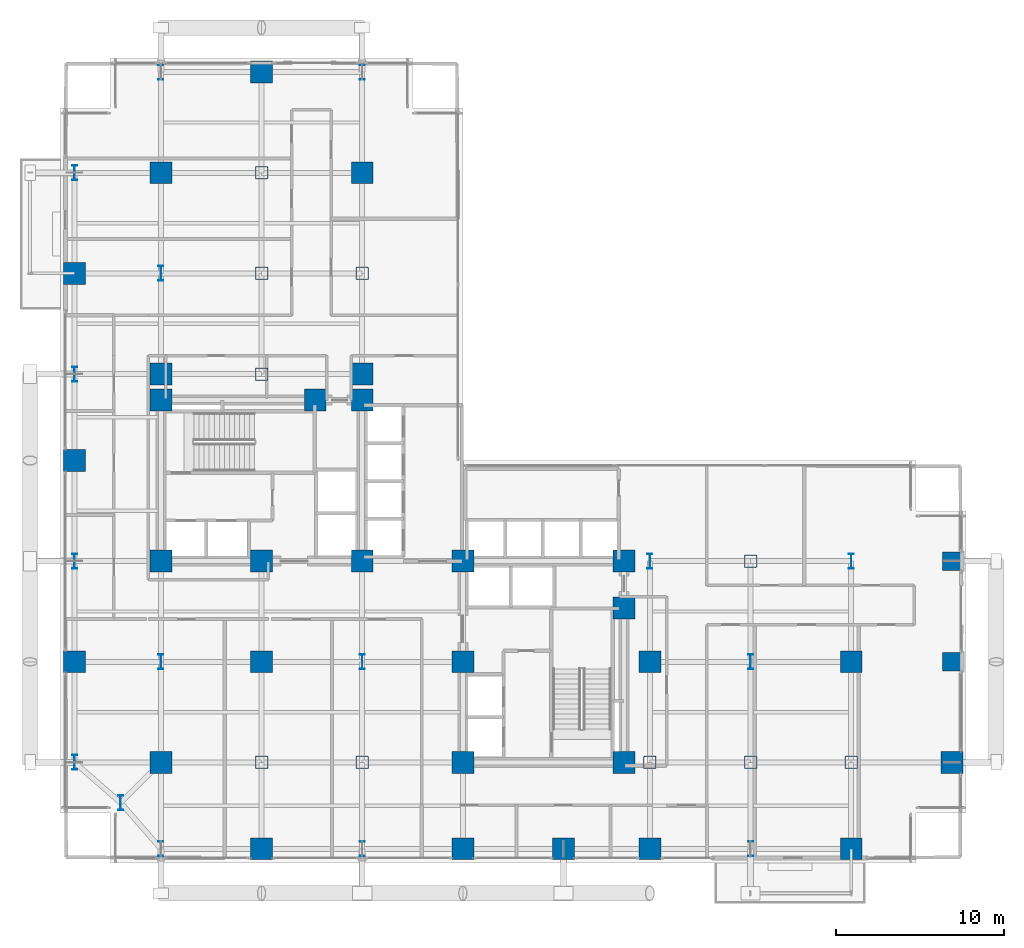
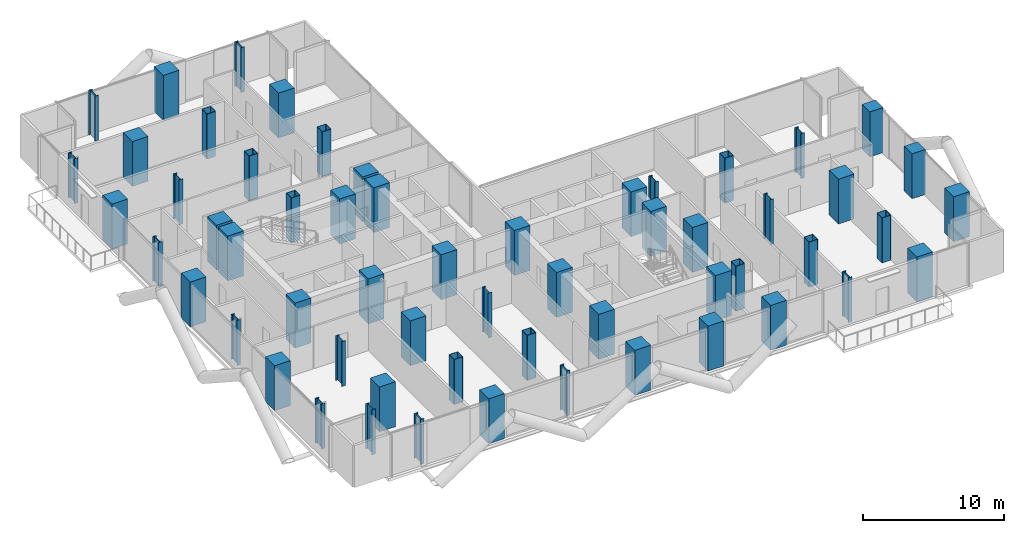
# One storey, part 1 of 27: 58 columns.
"""IFC4 building model written with IfcOpenShell, lengths in metres."""

from ifc_helpers import new_model, si_unit, direction, frame, origin, origin_2d, place, context, subcontext, project, spatial, rectangle, hollow_rectangle, i_section, extrude, material, material_profile, profile_set, type_object, element, save


model = new_model("IFC4")

# Units and contexts
model_context = context("Model", 3, precision=1e-05, world=origin(), true_north=direction((0.0, 1.0)))
body_context = subcontext(model_context, "Body", "Model", "MODEL_VIEW")
ifc_project = project(units=[si_unit("LENGTHUNIT", "METRE"), si_unit("AREAUNIT", "SQUARE_METRE"), si_unit("VOLUMEUNIT", "CUBIC_METRE"), si_unit("PLANEANGLEUNIT", "RADIAN"), si_unit("MASSUNIT", "GRAM", prefix="KILO"), si_unit("THERMODYNAMICTEMPERATUREUNIT", "KELVIN"), si_unit("POWERUNIT", "WATT")], contexts=[model_context])

# Site, building, storey
site_placement = place(None, origin())
site = spatial("IfcSite", under=ifc_project, at=site_placement, CompositionType="ELEMENT")
building_placement = place(site_placement, origin())
building = spatial("IfcBuilding", under=site, at=building_placement, Name="Svarakhadi Broadcast Tower", CompositionType="ELEMENT")
storey_placement = place(building_placement, frame((0.0, 0.0, 71.39990234375)))
storey = spatial("IfcBuildingStorey", under=building, at=storey_placement, Name="L16", CompositionType="ELEMENT", Elevation=71.39990234375)

# Columns
ifc_material_1 = material(Name="Steel S460ML (IS 2062 E450BR)", Category="steel")
ifc_material_profile_1 = material_profile(ifc_material_1, hollow_rectangle(XDim=0.75, YDim=0.75, WallThickness=0.034912109375, InnerFilletRadius=0.034912109375, OuterFilletRadius=0.050048828125, at=origin_2d()), Name="BOX 750x750x35")
ifc_profile_set_1 = profile_set([ifc_material_profile_1], Name="Steel S460ML (IS 2062 E450BR)")
column_type_1 = type_object("IfcColumnType", Name="Col_BOX750", PredefinedType="COLUMN", material=ifc_profile_set_1)
for number, where, z_axis, x_axis, name in (
    (1, (12.0, 6.0, 0.0), (0.0, 0.0, 1.0), (1.0, 0.0, 0.0), "L16 Column G19"),
    (2, (12.0, 29.14990234375, 0.0), (0.0, 0.0, 1.0), (1.0, 0.0, 0.0), "L16 Column G21"),
    (3, (12.0, 35.14990234375, 0.0), (0.0, 0.0, 1.0), (1.0, 0.0, 0.0), "L16 Column G22"),
    (4, (12.0, 41.14990234375, 0.0), (0.0, 0.0, 1.0), (1.0, 0.0, 0.0), "L16 Column G23"),
    (5, (18.0, 6.0, 0.0), (0.0, 0.0, 1.0), (1.0, 0.0, 0.0), "L16 Column G26"),
    (6, (18.0, 35.14990234375, 0.0), (0.0, 0.0, 1.0), (1.0, 0.0, 0.0), "L16 Column G29"),
    (7, (35.14990234375, 6.0, 0.0), (0.0, 0.0, 1.0), (1.0, 0.0, 0.0), "L16 Column G39"),
    (8, (41.14990234375, 6.0, 0.0), (0.0, 0.0, 1.0), (1.0, 0.0, 0.0), "L16 Column G44"),
    (9, (41.14990234375, 18.0, 0.0), (0.0, 0.0, 1.0), (1.0, 0.0, 0.0), "L16 Column G46"),
    (10, (47.14990234375, 6.0, 0.0), (0.0, 0.0, 1.0), (1.0, 0.0, 0.0), "L16 Column G51"),
):
    element("IfcColumn", number, at=place(storey_placement, frame(where, z_axis=z_axis, x_axis=x_axis)), inside=storey, type_object=column_type_1, Name=name, PredefinedType="COLUMN", context=body_context, shape_type="SweptSolid", body=[
        extrude(hollow_rectangle(XDim=0.75, YDim=0.75, WallThickness=0.034912109375, InnerFilletRadius=0.034912109375, OuterFilletRadius=0.050048828125, at=origin_2d()), origin(), (0.0, 0.0, 1.0), 3.900146484375),
    ])
ifc_material_2 = material(Name="Concrete C50/60 (IS 456 M60)", Category="concrete")
ifc_material_profile_2 = material_profile(ifc_material_2, rectangle(XDim=1.10009765625, YDim=1.10009765625, at=origin_2d()), Name="RC 1100x1100")
ifc_profile_set_2 = profile_set([ifc_material_profile_2], Name="Concrete C50/60 (IS 456 M60)")
column_type_2 = type_object("IfcColumnType", Name="Col_RC1100", PredefinedType="COLUMN", material=ifc_profile_set_2)
for number, where, z_axis, x_axis, name in (
    (11, (53.14990234375, 12.0, 0.0), (0.0, 0.0, 1.0), (1.0, 0.0, 0.0), "L16 Zone-1 East Stack Column ZT02"),
    (12, (53.14990234375, 18.0, 0.0), (0.0, 0.0, 1.0), (1.0, 0.0, 0.0), "L16 Zone-1 East Stack Column ZT03"),
):
    element("IfcColumn", number, at=place(storey_placement, frame(where, z_axis=z_axis, x_axis=x_axis)), inside=storey, type_object=column_type_2, Name=name, PredefinedType="COLUMN", context=body_context, shape_type="SweptSolid", body=[
        extrude(rectangle(XDim=1.10009765625, YDim=1.10009765625, at=origin_2d()), origin(), (0.0, 0.0, 1.0), 3.900146484375),
    ])
ifc_material_3 = material(Name="Concrete C60/75 (IS 456 M70)", Category="concrete")
ifc_material_profile_3 = material_profile(ifc_material_3, rectangle(XDim=1.300048828125, YDim=1.300048828125, at=origin_2d()), Name="RC 1300x1300")
ifc_profile_set_3 = profile_set([ifc_material_profile_3], Name="Concrete C60/75 (IS 456 M70)")
column_type_3 = type_object("IfcColumnType", Name="Col_RC1300", PredefinedType="COLUMN", material=ifc_profile_set_3)
for number, where, z_axis, x_axis, name in (
    (13, (6.0, 18.0, 0.0), (0.0, 0.0, 1.0), (1.0, 0.0, 0.0), "L16 Column CW1"),
    (14, (12.0, 18.0, 0.0), (0.0, 0.0, 1.0), (1.0, 0.0, 0.0), "L16 Column CW2"),
    (15, (18.0, 18.0, 0.0), (0.0, 0.0, 1.0), (1.0, 0.0, 0.0), "L16 Column CW3"),
    (16, (6.0, 27.60009765625, 0.0), (0.0, 0.0, 1.0), (1.0, 0.0, 0.0), "L16 Column CW4"),
    (17, (15.199951171875, 27.60009765625, 0.0), (0.0, 0.0, 1.0), (1.0, 0.0, 0.0), "L16 Column CW5"),
    (18, (18.0, 27.60009765625, 0.0), (0.0, 0.0, 1.0), (1.0, 0.0, 0.0), "L16 Column CW6"),
    (19, (24.0, 6.0, 0.0), (0.0, 0.0, 1.0), (1.0, 0.0, 0.0), "L16 Column CE1"),
    (20, (24.0, 12.0, 0.0), (0.0, 0.0, 1.0), (1.0, 0.0, 0.0), "L16 Column CE2"),
    (21, (24.0, 18.0, 0.0), (0.0, 0.0, 1.0), (1.0, 0.0, 0.0), "L16 Column CE3"),
    (22, (33.60009765625, 6.0, 0.0), (0.0, 0.0, 1.0), (1.0, 0.0, 0.0), "L16 Column CE4"),
    (23, (33.60009765625, 15.199951171875, 0.0), (0.0, 0.0, 1.0), (1.0, 0.0, 0.0), "L16 Column CE5"),
    (24, (33.60009765625, 18.0, 0.0), (0.0, 0.0, 1.0), (1.0, 0.0, 0.0), "L16 Column CE6"),
    (25, (0.85009765625, 12.0, 0.0), (0.0, 0.0, 1.0), (1.0, 0.0, 0.0), "L16 Column G04"),
    (26, (0.85009765625, 24.0, 0.0), (0.0, 0.0, 1.0), (1.0, 0.0, 0.0), "L16 Column G06"),
    (27, (0.85009765625, 35.14990234375, 0.0), (0.0, 0.0, 1.0), (1.0, 0.0, 0.0), "L16 Column G08"),
    (28, (6.0, 6.0, 0.0), (0.0, 0.0, 1.0), (1.0, 0.0, 0.0), "L16 Column G12"),
    (29, (6.0, 29.14990234375, 0.0), (0.0, 0.0, 1.0), (1.0, 0.0, 0.0), "L16 Column G14"),
    (30, (6.0, 41.14990234375, 0.0), (0.0, 0.0, 1.0), (1.0, 0.0, 0.0), "L16 Column G16"),
    (31, (12.0, 0.85009765625, 0.0), (0.0, 0.0, 1.0), (1.0, 0.0, 0.0), "L16 Column G18"),
    (32, (12.0, 12.0, 0.0), (0.0, 0.0, 1.0), (1.0, 0.0, 0.0), "L16 Column G20"),
    (33, (12.0, 47.14990234375, 0.0), (0.0, 0.0, 1.0), (1.0, 0.0, 0.0), "L16 Column G24"),
    (34, (18.0, 29.14990234375, 0.0), (0.0, 0.0, 1.0), (1.0, 0.0, 0.0), "L16 Column G28"),
    (35, (18.0, 41.14990234375, 0.0), (0.0, 0.0, 1.0), (1.0, 0.0, 0.0), "L16 Column G30"),
    (36, (24.0, 0.85009765625, 0.0), (0.0, 0.0, 1.0), (1.0, 0.0, 0.0), "L16 Column G32"),
    (37, (30.0, 0.85009765625, 0.0), (0.0, 0.0, 1.0), (1.0, 0.0, 0.0), "L16 Column G36"),
    (38, (35.14990234375, 0.85009765625, 0.0), (0.0, 0.0, 1.0), (1.0, 0.0, 0.0), "L16 Column G38"),
    (39, (35.14990234375, 12.0, 0.0), (0.0, 0.0, 1.0), (1.0, 0.0, 0.0), "L16 Column G40"),
    (40, (47.14990234375, 0.85009765625, 0.0), (0.0, 0.0, 1.0), (1.0, 0.0, 0.0), "L16 Column G50"),
    (41, (47.14990234375, 12.0, 0.0), (0.0, 0.0, 1.0), (1.0, 0.0, 0.0), "L16 Column G52"),
    (42, (53.14990234375, 6.0, 0.0), (0.0, 0.0, 1.0), (1.0, 0.0, 0.0), "L16 Column G58"),
):
    element("IfcColumn", number, at=place(storey_placement, frame(where, z_axis=z_axis, x_axis=x_axis)), inside=storey, type_object=column_type_3, Name=name, PredefinedType="COLUMN", context=body_context, shape_type="SweptSolid", body=[
        extrude(rectangle(XDim=1.300048828125, YDim=1.300048828125, at=origin_2d()), origin(), (0.0, 0.0, 1.0), 3.900146484375),
    ])
ifc_material_profile_4 = material_profile(ifc_material_1, i_section(OverallWidth=0.300048828125, OverallDepth=0.89990234375, WebThickness=0.0185546875, FlangeThickness=0.034912109375, FilletRadius=0.030029296875, at=origin_2d()), Name="WPB 900x300x291")
ifc_profile_set_4 = profile_set([ifc_material_profile_4], Name="Steel S460ML (IS 2062 E450BR)")
column_type_4 = type_object("IfcColumnType", Name="Col_WPB900", PredefinedType="COLUMN", material=ifc_profile_set_4)
for number, where, z_axis, x_axis, name in (
    (43, (3.60009765625, 3.60009765625, 0.0), (0.0, 0.0, 1.0), (1.0, 0.0, 0.0), "L16 Column G01"),
    (44, (0.85009765625, 6.0, 0.0), (0.0, 0.0, 1.0), (1.0, 0.0, 0.0), "L16 Column G03"),
    (45, (0.85009765625, 18.0, 0.0), (0.0, 0.0, 1.0), (1.0, 0.0, 0.0), "L16 Column G05"),
    (46, (0.85009765625, 29.14990234375, 0.0), (0.0, 0.0, 1.0), (1.0, 0.0, 0.0), "L16 Column G07"),
    (47, (0.85009765625, 41.14990234375, 0.0), (0.0, 0.0, 1.0), (1.0, 0.0, 0.0), "L16 Column G09"),
    (48, (6.0, 0.85009765625, 0.0), (0.0, 0.0, 1.0), (1.0, 0.0, 0.0), "L16 Column G11"),
    (49, (6.0, 12.0, 0.0), (0.0, 0.0, 1.0), (1.0, 0.0, 0.0), "L16 Column G13"),
    (50, (6.0, 35.14990234375, 0.0), (0.0, 0.0, 1.0), (1.0, 0.0, 0.0), "L16 Column G15"),
    (51, (6.0, 47.14990234375, 0.0), (0.0, 0.0, 1.0), (1.0, 0.0, 0.0), "L16 Column G17"),
    (52, (18.0, 0.85009765625, 0.0), (0.0, 0.0, 1.0), (1.0, 0.0, 0.0), "L16 Column G25"),
    (53, (18.0, 12.0, 0.0), (0.0, 0.0, 1.0), (1.0, 0.0, 0.0), "L16 Column G27"),
    (54, (18.0, 47.14990234375, 0.0), (0.0, 0.0, 1.0), (1.0, 0.0, 0.0), "L16 Column G31"),
    (55, (35.14990234375, 18.0, 0.0), (0.0, 0.0, 1.0), (1.0, 0.0, 0.0), "L16 Column G41"),
    (56, (41.14990234375, 0.85009765625, 0.0), (0.0, 0.0, 1.0), (1.0, 0.0, 0.0), "L16 Column G43"),
    (57, (41.14990234375, 12.0, 0.0), (0.0, 0.0, 1.0), (1.0, 0.0, 0.0), "L16 Column G45"),
    (58, (47.14990234375, 18.0, 0.0), (0.0, 0.0, 1.0), (1.0, 0.0, 0.0), "L16 Column G53"),
):
    element("IfcColumn", number, at=place(storey_placement, frame(where, z_axis=z_axis, x_axis=x_axis)), inside=storey, type_object=column_type_4, Name=name, PredefinedType="COLUMN", context=body_context, shape_type="SweptSolid", body=[
        extrude(i_section(OverallWidth=0.300048828125, OverallDepth=0.89990234375, WebThickness=0.0185546875, FlangeThickness=0.034912109375, FilletRadius=0.030029296875, at=origin_2d()), origin(), (0.0, 0.0, 1.0), 3.900146484375),
    ])

save(model, "model.ifc")
